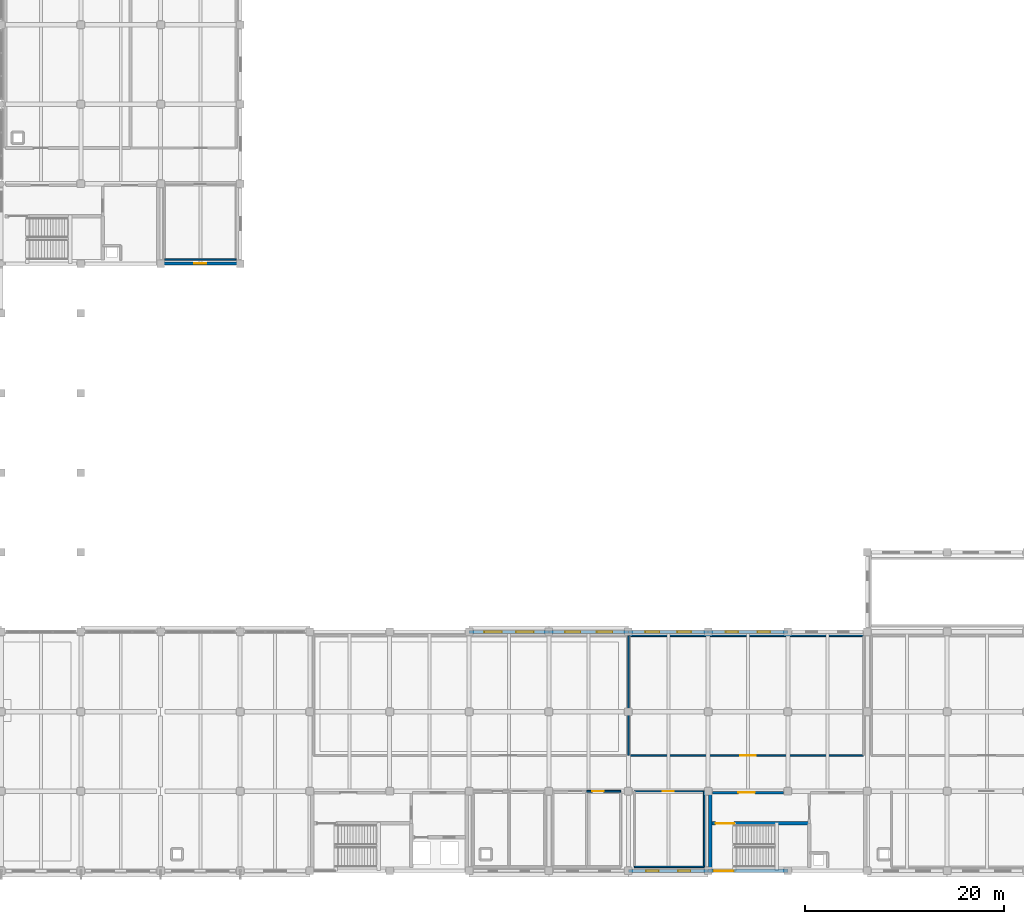
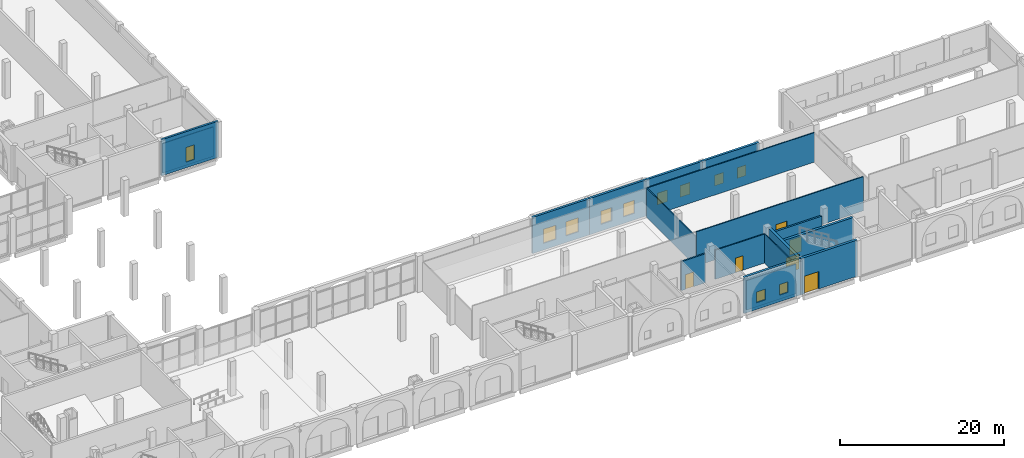
# One storey, part 20 of 40: 18 walls, 11 windows, 6 doors, 17 openings.
"""IFC4 building model written with IfcOpenShell, lengths in metres."""

from ifc_helpers import new_model, si_unit, direction, frame, frame_2d, origin, place, context, subcontext, project, spatial, rectangle, extrude, material, layer, layer_set, type_object, element, fill, save


model = new_model("IFC4")

# Units and contexts
model_context = context("Model", 3, precision=1e-05, world=origin(), true_north=direction((0.0, 1.0)))
body_context = subcontext(model_context, "Body", "Model", "MODEL_VIEW")
ifc_project = project(units=[si_unit("LENGTHUNIT", "METRE"), si_unit("AREAUNIT", "SQUARE_METRE"), si_unit("VOLUMEUNIT", "CUBIC_METRE"), si_unit("PLANEANGLEUNIT", "RADIAN"), si_unit("MASSUNIT", "GRAM", prefix="KILO")], contexts=[model_context])

# Site, building, storey
site_placement = place(None, origin())
site = spatial("IfcSite", under=ifc_project, at=site_placement, CompositionType="ELEMENT")
building_placement = place(site_placement, origin())
building = spatial("IfcBuilding", under=site, at=building_placement, Name="Qorikala Patio Media Centre", CompositionType="ELEMENT")
storey_placement = place(building_placement, origin())
storey = spatial("IfcBuildingStorey", under=building, at=storey_placement, Name="L00", CompositionType="ELEMENT", Elevation=0.0)

# Wall, opening, door
ifc_material_1 = material(Name="Concrete C35/45", Category="concrete")
ifc_layer_1 = layer(ifc_material_1, 0.35009765625)
ifc_layer_set_1 = layer_set([ifc_layer_1], Name="Concrete C35/45")
wall_type_1 = type_object("IfcWallType", Name="WL-CORE-350", PredefinedType="SHEAR", material=ifc_layer_set_1)
wall_1_placement = place(storey_placement, frame((130.0, 3.0, 0.0), z_axis=(0.0, 0.0, 1.0), x_axis=(-1.0, 0.0, 0.0)))
wall_1 = element("IfcWall", 1, at=wall_1_placement, inside=storey, type_object=wall_type_1, Name="L00 Core C7 Exterior Shear Wall", PredefinedType="SHEAR", context=body_context, shape_type="SweptSolid", body=[
    extrude(rectangle(XDim=8.0, YDim=0.35009765625, at=frame_2d((4.0, 0.0))), origin(), (0.0, 0.0, 1.0), 5.39990234375),
])
opening_1_placement = place(wall_1_placement, frame((5.449951171875, 0.0, 0.0)))
opening_1 = element("IfcOpeningElement", 2, at=opening_1_placement, cuts=wall_1, Name="Opening D002", PredefinedType="OPENING", context=body_context, shape_type="SweptSolid", body=[
    extrude(rectangle(XDim=2.0, YDim=2.60009765625, at=frame_2d((1.0, 1.300048828125))), frame((0.0, 0.18505859375, 0.0), z_axis=(0.0, -1.0, 0.0), x_axis=(1.0, 0.0, 0.0)), (0.0, 0.0, 1.0), 0.3701171875),
])
ifc_material_2 = material(Name="Bronze Anodised Steel and Glass", Category="steel")
door_type_1 = type_object("IfcDoorType", Name="DR-EX-200X260", OperationType="DOUBLE_DOOR_SINGLE_SWING", PredefinedType="DOOR", material=ifc_material_2)
door_1_placement = place(opening_1_placement, origin())
door_1 = element("IfcDoor", 3, at=door_1_placement, inside=storey, type_object=door_type_1, Name="Pedestrian Final Exit Door EX-02 (ST-7)", OperationType="DOUBLE_DOOR_SINGLE_SWING", OverallHeight=2.60009765625, OverallWidth=2.0, PredefinedType="DOOR", context=body_context, shape_type="SweptSolid", body=[
    extrude(rectangle(XDim=2.0, YDim=2.60009765625, at=frame_2d((1.0, 1.300048828125))), frame((0.0, 0.02490234375, 0.0), z_axis=(0.0, -1.0, 0.0), x_axis=(1.0, 0.0, 0.0)), (0.0, 0.0, 1.0), 0.050048828125),
])
fill(opening_1, door_1)

# Wall
wall_2_placement = place(storey_placement, frame((122.22509765625, 3.199951171875, 0.0), z_axis=(0.0, 0.0, 1.0), x_axis=(0.0, 1.0, 0.0)))
element("IfcWall", 4, at=wall_2_placement, inside=storey, type_object=wall_type_1, Name="L00 Interior Wall CW-L00-C7-SW", PredefinedType="SHEAR", context=body_context, shape_type="SweptSolid", body=[
    extrude(rectangle(XDim=7.60009765625, YDim=0.35009765625, at=frame_2d((3.800048828125, 0.0))), origin(), (0.0, 0.0, 1.0), 5.10009765625),
])

# Wall, opening, door
wall_3_placement = place(storey_placement, frame((122.35009765625, 7.77490234375, 0.0), z_axis=(0.0, 0.0, 1.0), x_axis=(1.0, 0.0, 0.0)))
wall_3 = element("IfcWall", 5, at=wall_3_placement, inside=storey, type_object=wall_type_1, Name="L00 Interior Wall CW-L00-C7-SN", PredefinedType="SHEAR", context=body_context, shape_type="SweptSolid", body=[
    extrude(rectangle(XDim=9.824951171875, YDim=0.35009765625, at=frame_2d((4.91259765625, 0.0))), origin(), (0.0, 0.0, 1.0), 5.10009765625),
])
opening_2_placement = place(wall_3_placement, frame((0.39990234375, 0.0, 0.0)))
opening_2 = element("IfcOpeningElement", 6, at=opening_2_placement, cuts=wall_3, Name="Opening D200", PredefinedType="OPENING", context=body_context, shape_type="SweptSolid", body=[
    extrude(rectangle(XDim=1.85009765625, YDim=2.25, at=frame_2d((0.925048828125, 1.125))), frame((0.0, 0.18505859375, 0.0), z_axis=(0.0, -1.0, 0.0), x_axis=(1.0, 0.0, 0.0)), (0.0, 0.0, 1.0), 0.3701171875),
])
ifc_material_3 = material(Name="Powder-Coated Acoustic Fire Steel", Category="steel")
door_type_2 = type_object("IfcDoorType", Name="DR-FD60-185X225", OperationType="DOUBLE_DOOR_SINGLE_SWING", PredefinedType="DOOR", material=ifc_material_3)
door_2_placement = place(opening_2_placement, frame((1.85009765625, 0.0, 0.0), z_axis=(0.0, 0.0, 1.0), x_axis=(-1.0, 0.0, 0.0)))
door_2 = element("IfcDoor", 7, at=door_2_placement, inside=storey, type_object=door_type_2, Name="L00 Stair ST-7 Fire Door", OperationType="DOUBLE_DOOR_SINGLE_SWING", OverallHeight=2.25, OverallWidth=1.85009765625, PredefinedType="DOOR", context=body_context, shape_type="SweptSolid", body=[
    extrude(rectangle(XDim=1.85009765625, YDim=2.25, at=frame_2d((0.925048828125, 1.125))), frame((0.0, 0.02490234375, 0.0), z_axis=(0.0, -1.0, 0.0), x_axis=(1.0, 0.0, 0.0)), (0.0, 0.0, 1.0), 0.050048828125),
])
fill(opening_2, door_2)

# Wall, openings, windows
ifc_material_4 = material(Name="Ivory Lime Stucco and Concrete C35/45", Category="concrete")
ifc_layer_2 = layer(ifc_material_4, 0.320068359375)
ifc_layer_set_2 = layer_set([ifc_layer_2], Name="Ivory Lime Stucco and Concrete C35/45")
wall_type_2 = type_object("IfcWallType", Name="WL-EXT-320", PredefinedType="SOLIDWALL", material=ifc_layer_set_2)
wall_4_placement = place(storey_placement, frame((98.0, 27.0, 0.0), z_axis=(0.0, 0.0, 1.0), x_axis=(1.0, 0.0, 0.0)))
wall_4 = element("IfcWall", 8, at=wall_4_placement, inside=storey, type_object=wall_type_2, Name="L00 Exterior Wall WL-L00-EXT-0011", PredefinedType="SOLIDWALL", context=body_context, shape_type="SweptSolid", body=[
    extrude(rectangle(XDim=8.0, YDim=0.320068359375, at=frame_2d((4.0, 0.0))), origin(), (0.0, 0.0, 1.0), 5.39990234375),
])
opening_3_placement = place(wall_4_placement, frame((1.52490234375, 0.0, 1.0)))
opening_3 = element("IfcOpeningElement", 9, at=opening_3_placement, cuts=wall_4, Name="Opening WE-175", PredefinedType="OPENING", context=body_context, shape_type="SweptSolid", body=[
    extrude(rectangle(XDim=1.75, YDim=2.10009765625, at=frame_2d((0.875, 1.050048828125))), frame((0.0, 0.169921875, 0.0), z_axis=(0.0, -1.0, 0.0), x_axis=(1.0, 0.0, 0.0)), (0.0, 0.0, 1.0), 0.340087890625),
])
opening_4_placement = place(wall_4_placement, frame((4.72509765625, 0.0, 1.0)))
opening_4 = element("IfcOpeningElement", 10, at=opening_4_placement, cuts=wall_4, Name="Opening WE-175", PredefinedType="OPENING", context=body_context, shape_type="SweptSolid", body=[
    extrude(rectangle(XDim=1.75, YDim=2.10009765625, at=frame_2d((0.875, 1.050048828125))), frame((0.0, 0.169921875, 0.0), z_axis=(0.0, -1.0, 0.0), x_axis=(1.0, 0.0, 0.0)), (0.0, 0.0, 1.0), 0.340087890625),
])
ifc_material_5 = material(Name="Bronze Anodised Aluminium and Low-E Glass", Category="aluminium")
window_type_1 = type_object("IfcWindowType", Name="WN-ED-175X210", PartitioningType="SINGLE_PANEL", PredefinedType="WINDOW", material=ifc_material_5)
window_1_placement = place(opening_3_placement, origin())
window_1 = element("IfcWindow", 11, at=window_1_placement, inside=storey, type_object=window_type_1, Name="L00 Editing Wing Casement Window 0001", OverallHeight=2.10009765625, OverallWidth=1.75, PartitioningType="SINGLE_PANEL", PredefinedType="WINDOW", context=body_context, shape_type="SweptSolid", body=[
    extrude(rectangle(XDim=1.75, YDim=2.10009765625, at=frame_2d((0.875, 1.050048828125))), frame((0.0, 0.030029296875, 0.0), z_axis=(0.0, -1.0, 0.0), x_axis=(1.0, 0.0, 0.0)), (0.0, 0.0, 1.0), 0.06005859375),
])
fill(opening_3, window_1)
window_2_placement = place(opening_4_placement, origin())
window_2 = element("IfcWindow", 12, at=window_2_placement, inside=storey, type_object=window_type_1, Name="L00 Editing Wing Casement Window 0002", OverallHeight=2.10009765625, OverallWidth=1.75, PartitioningType="SINGLE_PANEL", PredefinedType="WINDOW", context=body_context, shape_type="SweptSolid", body=[
    extrude(rectangle(XDim=1.75, YDim=2.10009765625, at=frame_2d((0.875, 1.050048828125))), frame((0.0, 0.030029296875, 0.0), z_axis=(0.0, -1.0, 0.0), x_axis=(1.0, 0.0, 0.0)), (0.0, 0.0, 1.0), 0.06005859375),
])
fill(opening_4, window_2)

wall_5_placement = place(storey_placement, frame((106.0, 27.0, 0.0), z_axis=(0.0, 0.0, 1.0), x_axis=(1.0, 0.0, 0.0)))
wall_5 = element("IfcWall", 13, at=wall_5_placement, inside=storey, type_object=wall_type_2, Name="L00 Exterior Wall WL-L00-EXT-0012", PredefinedType="SOLIDWALL", context=body_context, shape_type="SweptSolid", body=[
    extrude(rectangle(XDim=8.0, YDim=0.320068359375, at=frame_2d((4.0, 0.0))), origin(), (0.0, 0.0, 1.0), 5.39990234375),
])
opening_5_placement = place(wall_5_placement, frame((1.625, 0.0, 1.0)))
opening_5 = element("IfcOpeningElement", 14, at=opening_5_placement, cuts=wall_5, Name="Opening WE-155", PredefinedType="OPENING", context=body_context, shape_type="SweptSolid", body=[
    extrude(rectangle(XDim=1.550048828125, YDim=1.949951171875, at=frame_2d((0.77490234375, 0.97509765625))), frame((0.0, 0.169921875, 0.0), z_axis=(0.0, -1.0, 0.0), x_axis=(1.0, 0.0, 0.0)), (0.0, 0.0, 1.0), 0.340087890625),
])
opening_6_placement = place(wall_5_placement, frame((4.824951171875, 0.0, 1.0)))
opening_6 = element("IfcOpeningElement", 15, at=opening_6_placement, cuts=wall_5, Name="Opening WE-155", PredefinedType="OPENING", context=body_context, shape_type="SweptSolid", body=[
    extrude(rectangle(XDim=1.550048828125, YDim=1.949951171875, at=frame_2d((0.77490234375, 0.97509765625))), frame((0.0, 0.169921875, 0.0), z_axis=(0.0, -1.0, 0.0), x_axis=(1.0, 0.0, 0.0)), (0.0, 0.0, 1.0), 0.340087890625),
])
window_type_2 = type_object("IfcWindowType", Name="WN-ED-155X195", PartitioningType="SINGLE_PANEL", PredefinedType="WINDOW", material=ifc_material_5)
window_3_placement = place(opening_5_placement, origin())
window_3 = element("IfcWindow", 16, at=window_3_placement, inside=storey, type_object=window_type_2, Name="L00 Editing Wing Casement Window 0003", OverallHeight=1.949951171875, OverallWidth=1.550048828125, PartitioningType="SINGLE_PANEL", PredefinedType="WINDOW", context=body_context, shape_type="SweptSolid", body=[
    extrude(rectangle(XDim=1.550048828125, YDim=1.949951171875, at=frame_2d((0.77490234375, 0.97509765625))), frame((0.0, 0.030029296875, 0.0), z_axis=(0.0, -1.0, 0.0), x_axis=(1.0, 0.0, 0.0)), (0.0, 0.0, 1.0), 0.06005859375),
])
fill(opening_5, window_3)
window_4_placement = place(opening_6_placement, origin())
window_4 = element("IfcWindow", 17, at=window_4_placement, inside=storey, type_object=window_type_2, Name="L00 Editing Wing Casement Window 0004", OverallHeight=1.949951171875, OverallWidth=1.550048828125, PartitioningType="SINGLE_PANEL", PredefinedType="WINDOW", context=body_context, shape_type="SweptSolid", body=[
    extrude(rectangle(XDim=1.550048828125, YDim=1.949951171875, at=frame_2d((0.77490234375, 0.97509765625))), frame((0.0, 0.030029296875, 0.0), z_axis=(0.0, -1.0, 0.0), x_axis=(1.0, 0.0, 0.0)), (0.0, 0.0, 1.0), 0.06005859375),
])
fill(opening_6, window_4)

wall_6_placement = place(storey_placement, frame((114.0, 27.0, 0.0), z_axis=(0.0, 0.0, 1.0), x_axis=(1.0, 0.0, 0.0)))
wall_6 = element("IfcWall", 18, at=wall_6_placement, inside=storey, type_object=wall_type_2, Name="L00 Exterior Wall WL-L00-EXT-0013", PredefinedType="SOLIDWALL", context=body_context, shape_type="SweptSolid", body=[
    extrude(rectangle(XDim=8.0, YDim=0.320068359375, at=frame_2d((4.0, 0.0))), origin(), (0.0, 0.0, 1.0), 5.39990234375),
])
opening_7_placement = place(wall_6_placement, frame((1.699951171875, 0.0, 1.0)))
opening_7 = element("IfcOpeningElement", 19, at=opening_7_placement, cuts=wall_6, Name="Opening WE-140", PredefinedType="OPENING", context=body_context, shape_type="SweptSolid", body=[
    extrude(rectangle(XDim=1.39990234375, YDim=1.75, at=frame_2d((0.699951171875, 0.875))), frame((0.0, 0.169921875, 0.0), z_axis=(0.0, -1.0, 0.0), x_axis=(1.0, 0.0, 0.0)), (0.0, 0.0, 1.0), 0.340087890625),
])
opening_8_placement = place(wall_6_placement, frame((4.89990234375, 0.0, 1.0)))
opening_8 = element("IfcOpeningElement", 20, at=opening_8_placement, cuts=wall_6, Name="Opening WE-140", PredefinedType="OPENING", context=body_context, shape_type="SweptSolid", body=[
    extrude(rectangle(XDim=1.39990234375, YDim=1.75, at=frame_2d((0.699951171875, 0.875))), frame((0.0, 0.169921875, 0.0), z_axis=(0.0, -1.0, 0.0), x_axis=(1.0, 0.0, 0.0)), (0.0, 0.0, 1.0), 0.340087890625),
])
window_type_3 = type_object("IfcWindowType", Name="WN-ED-140X175", PartitioningType="SINGLE_PANEL", PredefinedType="WINDOW", material=ifc_material_5)
window_5_placement = place(opening_7_placement, origin())
window_5 = element("IfcWindow", 21, at=window_5_placement, inside=storey, type_object=window_type_3, Name="L00 Editing Wing Casement Window 0005", OverallHeight=1.75, OverallWidth=1.39990234375, PartitioningType="SINGLE_PANEL", PredefinedType="WINDOW", context=body_context, shape_type="SweptSolid", body=[
    extrude(rectangle(XDim=1.39990234375, YDim=1.75, at=frame_2d((0.699951171875, 0.875))), frame((0.0, 0.030029296875, 0.0), z_axis=(0.0, -1.0, 0.0), x_axis=(1.0, 0.0, 0.0)), (0.0, 0.0, 1.0), 0.06005859375),
])
fill(opening_7, window_5)
window_6_placement = place(opening_8_placement, origin())
window_6 = element("IfcWindow", 22, at=window_6_placement, inside=storey, type_object=window_type_3, Name="L00 Editing Wing Casement Window 0006", OverallHeight=1.75, OverallWidth=1.39990234375, PartitioningType="SINGLE_PANEL", PredefinedType="WINDOW", context=body_context, shape_type="SweptSolid", body=[
    extrude(rectangle(XDim=1.39990234375, YDim=1.75, at=frame_2d((0.699951171875, 0.875))), frame((0.0, 0.030029296875, 0.0), z_axis=(0.0, -1.0, 0.0), x_axis=(1.0, 0.0, 0.0)), (0.0, 0.0, 1.0), 0.06005859375),
])
fill(opening_8, window_6)

wall_7_placement = place(storey_placement, frame((122.0, 27.0, 0.0), z_axis=(0.0, 0.0, 1.0), x_axis=(1.0, 0.0, 0.0)))
wall_7 = element("IfcWall", 23, at=wall_7_placement, inside=storey, type_object=wall_type_2, Name="L00 Exterior Wall WL-L00-EXT-0014", PredefinedType="SOLIDWALL", context=body_context, shape_type="SweptSolid", body=[
    extrude(rectangle(XDim=8.0, YDim=0.320068359375, at=frame_2d((4.0, 0.0))), origin(), (0.0, 0.0, 1.0), 5.39990234375),
])
opening_9_placement = place(wall_7_placement, frame((1.77490234375, 0.0, 1.0)))
opening_9 = element("IfcOpeningElement", 24, at=opening_9_placement, cuts=wall_7, Name="Opening WE-125", PredefinedType="OPENING", context=body_context, shape_type="SweptSolid", body=[
    extrude(rectangle(XDim=1.25, YDim=1.60009765625, at=frame_2d((0.625, 0.800048828125))), frame((0.0, 0.169921875, 0.0), z_axis=(0.0, -1.0, 0.0), x_axis=(1.0, 0.0, 0.0)), (0.0, 0.0, 1.0), 0.340087890625),
])
opening_10_placement = place(wall_7_placement, frame((4.97509765625, 0.0, 1.0)))
opening_10 = element("IfcOpeningElement", 25, at=opening_10_placement, cuts=wall_7, Name="Opening WE-125", PredefinedType="OPENING", context=body_context, shape_type="SweptSolid", body=[
    extrude(rectangle(XDim=1.25, YDim=1.60009765625, at=frame_2d((0.625, 0.800048828125))), frame((0.0, 0.169921875, 0.0), z_axis=(0.0, -1.0, 0.0), x_axis=(1.0, 0.0, 0.0)), (0.0, 0.0, 1.0), 0.340087890625),
])
window_type_4 = type_object("IfcWindowType", Name="WN-ED-125X160", PartitioningType="SINGLE_PANEL", PredefinedType="WINDOW", material=ifc_material_5)
window_7_placement = place(opening_9_placement, origin())
window_7 = element("IfcWindow", 26, at=window_7_placement, inside=storey, type_object=window_type_4, Name="L00 Editing Wing Casement Window 0007", OverallHeight=1.60009765625, OverallWidth=1.25, PartitioningType="SINGLE_PANEL", PredefinedType="WINDOW", context=body_context, shape_type="SweptSolid", body=[
    extrude(rectangle(XDim=1.25, YDim=1.60009765625, at=frame_2d((0.625, 0.800048828125))), frame((0.0, 0.030029296875, 0.0), z_axis=(0.0, -1.0, 0.0), x_axis=(1.0, 0.0, 0.0)), (0.0, 0.0, 1.0), 0.06005859375),
])
fill(opening_9, window_7)
window_8_placement = place(opening_10_placement, origin())
window_8 = element("IfcWindow", 27, at=window_8_placement, inside=storey, type_object=window_type_4, Name="L00 Editing Wing Casement Window 0008", OverallHeight=1.60009765625, OverallWidth=1.25, PartitioningType="SINGLE_PANEL", PredefinedType="WINDOW", context=body_context, shape_type="SweptSolid", body=[
    extrude(rectangle(XDim=1.25, YDim=1.60009765625, at=frame_2d((0.625, 0.800048828125))), frame((0.0, 0.030029296875, 0.0), z_axis=(0.0, -1.0, 0.0), x_axis=(1.0, 0.0, 0.0)), (0.0, 0.0, 1.0), 0.06005859375),
])
fill(opening_10, window_8)

wall_8_placement = place(storey_placement, frame((122.0, 3.0, 0.0), z_axis=(0.0, 0.0, 1.0), x_axis=(-1.0, 0.0, 0.0)))
wall_8 = element("IfcWall", 28, at=wall_8_placement, inside=storey, type_object=wall_type_2, Name="L00 Exterior Wall WL-L00-EXT-0031", PredefinedType="SOLIDWALL", context=body_context, shape_type="SweptSolid", body=[
    extrude(rectangle(XDim=8.0, YDim=0.320068359375, at=frame_2d((4.0, 0.0))), origin(), (0.0, 0.0, 1.0), 5.39990234375),
])
opening_11_placement = place(wall_8_placement, frame((1.77490234375, 0.0, 1.0)))
opening_11 = element("IfcOpeningElement", 29, at=opening_11_placement, cuts=wall_8, Name="Opening WE-125", PredefinedType="OPENING", context=body_context, shape_type="SweptSolid", body=[
    extrude(rectangle(XDim=1.25, YDim=1.60009765625, at=frame_2d((0.625, 0.800048828125))), frame((0.0, 0.169921875, 0.0), z_axis=(0.0, -1.0, 0.0), x_axis=(1.0, 0.0, 0.0)), (0.0, 0.0, 1.0), 0.340087890625),
])
opening_12_placement = place(wall_8_placement, frame((4.97509765625, 0.0, 1.0)))
opening_12 = element("IfcOpeningElement", 30, at=opening_12_placement, cuts=wall_8, Name="Opening WE-125", PredefinedType="OPENING", context=body_context, shape_type="SweptSolid", body=[
    extrude(rectangle(XDim=1.25, YDim=1.60009765625, at=frame_2d((0.625, 0.800048828125))), frame((0.0, 0.169921875, 0.0), z_axis=(0.0, -1.0, 0.0), x_axis=(1.0, 0.0, 0.0)), (0.0, 0.0, 1.0), 0.340087890625),
])
window_9_placement = place(opening_11_placement, origin())
window_9 = element("IfcWindow", 31, at=window_9_placement, inside=storey, type_object=window_type_4, Name="L00 Editing Wing Casement Window 0029", OverallHeight=1.60009765625, OverallWidth=1.25, PartitioningType="SINGLE_PANEL", PredefinedType="WINDOW", context=body_context, shape_type="SweptSolid", body=[
    extrude(rectangle(XDim=1.25, YDim=1.60009765625, at=frame_2d((0.625, 0.800048828125))), frame((0.0, 0.030029296875, 0.0), z_axis=(0.0, -1.0, 0.0), x_axis=(1.0, 0.0, 0.0)), (0.0, 0.0, 1.0), 0.06005859375),
])
fill(opening_11, window_9)
window_10_placement = place(opening_12_placement, origin())
window_10 = element("IfcWindow", 32, at=window_10_placement, inside=storey, type_object=window_type_4, Name="L00 Editing Wing Casement Window 0030", OverallHeight=1.60009765625, OverallWidth=1.25, PartitioningType="SINGLE_PANEL", PredefinedType="WINDOW", context=body_context, shape_type="SweptSolid", body=[
    extrude(rectangle(XDim=1.25, YDim=1.60009765625, at=frame_2d((0.625, 0.800048828125))), frame((0.0, 0.030029296875, 0.0), z_axis=(0.0, -1.0, 0.0), x_axis=(1.0, 0.0, 0.0)), (0.0, 0.0, 1.0), 0.06005859375),
])
fill(opening_12, window_10)

# Wall, opening, door
ifc_layer_3 = layer(ifc_material_1, 0.25)
ifc_layer_set_3 = layer_set([ifc_layer_3], Name="Concrete C35/45")
wall_type_3 = type_object("IfcWallType", Name="WL-FFL-250", PredefinedType="PARTITIONING", material=ifc_layer_set_3)
wall_9_placement = place(storey_placement, frame((122.449951171875, 10.85009765625, 0.0), z_axis=(0.0, 0.0, 1.0), x_axis=(1.0, 0.0, 0.0)))
wall_9 = element("IfcWall", 33, at=wall_9_placement, inside=storey, type_object=wall_type_3, Name="L00 Interior Wall CW-L00-C7-CN1", PredefinedType="PARTITIONING", context=body_context, shape_type="SweptSolid", body=[
    extrude(rectangle(XDim=7.10009765625, YDim=0.25, at=frame_2d((3.550048828125, 0.0))), origin(), (0.0, 0.0, 1.0), 4.3349609375),
])
opening_13_placement = place(wall_9_placement, frame((2.60009765625, 0.0, 0.0)))
opening_13 = element("IfcOpeningElement", 34, at=opening_13_placement, cuts=wall_9, Name="Opening D202", PredefinedType="OPENING", context=body_context, shape_type="SweptSolid", body=[
    extrude(rectangle(XDim=1.64990234375, YDim=2.25, at=frame_2d((0.824951171875, 1.125))), frame((0.0, 0.135009765625, 0.0), z_axis=(0.0, -1.0, 0.0), x_axis=(1.0, 0.0, 0.0)), (0.0, 0.0, 1.0), 0.27001953125),
])
door_type_3 = type_object("IfcDoorType", Name="DR-FD60-165X225", OperationType="DOUBLE_DOOR_SINGLE_SWING", PredefinedType="DOOR", material=ifc_material_3)
door_3_placement = place(opening_13_placement, frame((1.64990234375, 0.0, 0.0), z_axis=(0.0, 0.0, 1.0), x_axis=(-1.0, 0.0, 0.0)))
door_3 = element("IfcDoor", 35, at=door_3_placement, inside=storey, type_object=door_type_3, Name="L00 Core C7 Vestibule Door", OperationType="DOUBLE_DOOR_SINGLE_SWING", OverallHeight=2.25, OverallWidth=1.64990234375, PredefinedType="DOOR", context=body_context, shape_type="SweptSolid", body=[
    extrude(rectangle(XDim=1.64990234375, YDim=2.25, at=frame_2d((0.824951171875, 1.125))), frame((0.0, 0.02490234375, 0.0), z_axis=(0.0, -1.0, 0.0), x_axis=(1.0, 0.0, 0.0)), (0.0, 0.0, 1.0), 0.050048828125),
])
fill(opening_13, door_3)

# Wall, opening, window
ifc_material_6 = material(Name="Warm Ochre Lime Stucco and Concrete C35/45", Category="concrete")
ifc_layer_4 = layer(ifc_material_6, 0.280029296875)
ifc_layer_set_4 = layer_set([ifc_layer_4], Name="Warm Ochre Lime Stucco and Concrete C35/45")
wall_type_4 = type_object("IfcWallType", Name="WL-OCHRE-280", PredefinedType="SOLIDWALL", material=ifc_layer_set_4)
wall_10_placement = place(storey_placement, frame((75.0, 64.0, 0.0), z_axis=(0.0, 0.0, 1.0), x_axis=(-1.0, 0.0, 0.0)))
wall_10 = element("IfcWall", 36, at=wall_10_placement, inside=storey, type_object=wall_type_4, Name="L00 Exterior Wall WL-L00-EXT-0084", PredefinedType="SOLIDWALL", context=body_context, shape_type="SweptSolid", body=[
    extrude(rectangle(XDim=8.0, YDim=0.280029296875, at=frame_2d((4.0, 0.0))), origin(), (0.0, 0.0, 1.0), 5.39990234375),
])
opening_14_placement = place(wall_10_placement, frame((3.39990234375, 0.0, 0.85009765625)))
opening_14 = element("IfcOpeningElement", 37, at=opening_14_placement, cuts=wall_10, Name="Opening WC-120", PredefinedType="OPENING", context=body_context, shape_type="SweptSolid", body=[
    extrude(rectangle(XDim=1.199951171875, YDim=2.199951171875, at=frame_2d((0.60009765625, 1.10009765625))), frame((0.0, 0.14990234375, 0.0), z_axis=(0.0, -1.0, 0.0), x_axis=(1.0, 0.0, 0.0)), (0.0, 0.0, 1.0), 0.300048828125),
])
window_type_5 = type_object("IfcWindowType", Name="WN-COL-120X220", PartitioningType="SINGLE_PANEL", PredefinedType="WINDOW", material=ifc_material_5)
window_11_placement = place(opening_14_placement, origin())
window_11 = element("IfcWindow", 38, at=window_11_placement, inside=storey, type_object=window_type_5, Name="L00 Colonial Tall Window 0059", OverallHeight=2.199951171875, OverallWidth=1.199951171875, PartitioningType="SINGLE_PANEL", PredefinedType="WINDOW", context=body_context, shape_type="SweptSolid", body=[
    extrude(rectangle(XDim=1.199951171875, YDim=2.199951171875, at=frame_2d((0.60009765625, 1.10009765625))), frame((0.0, 0.030029296875, 0.0), z_axis=(0.0, -1.0, 0.0), x_axis=(1.0, 0.0, 0.0)), (0.0, 0.0, 1.0), 0.06005859375),
])
fill(opening_14, window_11)

# Walls
ifc_material_7 = material(Name="Acoustic Gypsum Stud Partition")
ifc_layer_5 = layer(ifc_material_7, 0.14990234375)
ifc_layer_set_5 = layer_set([ifc_layer_5], Name="Acoustic Gypsum Stud Partition")
wall_type_5 = type_object("IfcWallType", Name="WL-PT-150", PredefinedType="PARTITIONING", material=ifc_layer_set_5)
wall_11_placement = place(storey_placement, frame((114.60009765625, 3.39990234375, 0.0), z_axis=(0.0, 0.0, 1.0), x_axis=(1.0, 0.0, 0.0)))
element("IfcWall", 39, at=wall_11_placement, inside=storey, type_object=wall_type_5, Name="L00 Interior Wall WINT-L00-SHOP-S", PredefinedType="PARTITIONING", context=body_context, shape_type="SweptSolid", body=[
    extrude(rectangle(XDim=7.0, YDim=0.14990234375, at=frame_2d((3.5, 0.0))), origin(), (0.0, 0.0, 1.0), 4.405029296875),
])
wall_12_placement = place(storey_placement, frame((121.60009765625, 3.39990234375, 0.0), z_axis=(0.0, 0.0, 1.0), x_axis=(0.0, 1.0, 0.0)))
element("IfcWall", 40, at=wall_12_placement, inside=storey, type_object=wall_type_5, Name="L00 Interior Wall WINT-L00-SHOP-E", PredefinedType="PARTITIONING", context=body_context, shape_type="SweptSolid", body=[
    extrude(rectangle(XDim=7.60009765625, YDim=0.14990234375, at=frame_2d((3.800048828125, 0.0))), origin(), (0.0, 0.0, 1.0), 4.385009765625),
])

# Wall, opening, door
wall_13_placement = place(storey_placement, frame((114.60009765625, 11.0, 0.0), z_axis=(0.0, 0.0, 1.0), x_axis=(1.0, 0.0, 0.0)))
wall_13 = element("IfcWall", 41, at=wall_13_placement, inside=storey, type_object=wall_type_5, Name="L00 Interior Wall WINT-L00-SHOP-N", PredefinedType="PARTITIONING", context=body_context, shape_type="SweptSolid", body=[
    extrude(rectangle(XDim=7.0, YDim=0.14990234375, at=frame_2d((3.5, 0.0))), origin(), (0.0, 0.0, 1.0), 4.3349609375),
])
opening_15_placement = place(wall_13_placement, frame((2.847900390625, 0.0, 0.0)))
opening_15 = element("IfcOpeningElement", 42, at=opening_15_placement, cuts=wall_13, Name="Opening D236", PredefinedType="OPENING", context=body_context, shape_type="SweptSolid", body=[
    extrude(rectangle(XDim=1.10009765625, YDim=2.159912109375, at=frame_2d((0.550048828125, 1.080078125))), frame((0.0, 0.0849609375, 0.0), z_axis=(0.0, -1.0, 0.0), x_axis=(1.0, 0.0, 0.0)), (0.0, 0.0, 1.0), 0.169921875),
])
ifc_material_8 = material(Name="Solid Oak Timber", Category="wood")
door_type_4 = type_object("IfcDoorType", Name="DR-IN-110X216", OperationType="NOTDEFINED", PredefinedType="DOOR", material=ifc_material_8)
door_4_placement = place(opening_15_placement, origin())
door_4 = element("IfcDoor", 43, at=door_4_placement, inside=storey, type_object=door_type_4, Name="Media Bookshop and Poster Gallery Door 025", OperationType="SINGLE_SWING_LEFT", OverallHeight=2.159912109375, OverallWidth=1.10009765625, PredefinedType="DOOR", context=body_context, shape_type="SweptSolid", body=[
    extrude(rectangle(XDim=1.10009765625, YDim=2.159912109375, at=frame_2d((0.550048828125, 1.080078125))), frame((0.0, 0.02490234375, 0.0), z_axis=(0.0, -1.0, 0.0), x_axis=(1.0, 0.0, 0.0)), (0.0, 0.0, 1.0), 0.050048828125),
])
fill(opening_15, door_4)

# Wall
wall_14_placement = place(storey_placement, frame((114.0, 14.60009765625, 0.0), z_axis=(0.0, 0.0, 1.0), x_axis=(0.0, 1.0, 0.0)))
element("IfcWall", 44, at=wall_14_placement, inside=storey, type_object=wall_type_5, Name="L00 Interior Wall WINT-L00-CAFE-E", PredefinedType="PARTITIONING", context=body_context, shape_type="SweptSolid", body=[
    extrude(rectangle(XDim=12.0, YDim=0.14990234375, at=frame_2d((6.0, 0.0))), origin(), (0.0, 0.0, 1.0), 4.385009765625),
])

# Wall, opening, door
wall_15_placement = place(storey_placement, frame((114.0, 14.60009765625, 0.0), z_axis=(0.0, 0.0, 1.0), x_axis=(1.0, 0.0, 0.0)))
wall_15 = element("IfcWall", 45, at=wall_15_placement, inside=storey, type_object=wall_type_5, Name="L00 Interior Wall WINT-L00-ING1-S", PredefinedType="PARTITIONING", context=body_context, shape_type="SweptSolid", body=[
    extrude(rectangle(XDim=23.60009765625, YDim=0.14990234375, at=frame_2d((11.800048828125, 0.0))), origin(), (0.0, 0.0, 1.0), 5.10009765625),
])
opening_16_placement = place(wall_15_placement, frame((11.22607421875, 0.0, 0.0)))
opening_16 = element("IfcOpeningElement", 46, at=opening_16_placement, cuts=wall_15, Name="Opening D238", PredefinedType="OPENING", context=body_context, shape_type="SweptSolid", body=[
    extrude(rectangle(XDim=1.550048828125, YDim=2.25, at=frame_2d((0.77490234375, 1.125))), frame((0.0, 0.0849609375, 0.0), z_axis=(0.0, -1.0, 0.0), x_axis=(1.0, 0.0, 0.0)), (0.0, 0.0, 1.0), 0.169921875),
])
ifc_material_9 = material(Name="Solid Andean Cedar Timber", Category="wood")
door_type_5 = type_object("IfcDoorType", Name="DR-IN-155X225", OperationType="DOUBLE_DOOR_SINGLE_SWING", PredefinedType="DOOR", material=ifc_material_9)
door_5_placement = place(opening_16_placement, origin())
door_5 = element("IfcDoor", 47, at=door_5_placement, inside=storey, type_object=door_type_5, Name="Digital Media Ingest and Restoration Suite Door 027", OperationType="DOUBLE_DOOR_SINGLE_SWING", OverallHeight=2.25, OverallWidth=1.550048828125, PredefinedType="DOOR", context=body_context, shape_type="SweptSolid", body=[
    extrude(rectangle(XDim=1.550048828125, YDim=2.25, at=frame_2d((0.77490234375, 1.125))), frame((0.0, 0.02490234375, 0.0), z_axis=(0.0, -1.0, 0.0), x_axis=(1.0, 0.0, 0.0)), (0.0, 0.0, 1.0), 0.050048828125),
])
fill(opening_16, door_5)

# Walls
wall_16_placement = place(storey_placement, frame((114.0, 26.60009765625, 0.0), z_axis=(0.0, 0.0, 1.0), x_axis=(1.0, 0.0, 0.0)))
element("IfcWall", 48, at=wall_16_placement, inside=storey, type_object=wall_type_5, Name="L00 Interior Wall WINT-L00-ING1-N", PredefinedType="PARTITIONING", context=body_context, shape_type="SweptSolid", body=[
    extrude(rectangle(XDim=23.60009765625, YDim=0.14990234375, at=frame_2d((11.800048828125, 0.0))), origin(), (0.0, 0.0, 1.0), 4.405029296875),
])
wall_17_placement = place(storey_placement, frame((67.39990234375, 64.39990234375, 0.0), z_axis=(0.0, 0.0, 1.0), x_axis=(1.0, 0.0, 0.0)))
element("IfcWall", 49, at=wall_17_placement, inside=storey, type_object=wall_type_5, Name="L00 Interior Wall WINT-L00-GRN1-S", PredefinedType="PARTITIONING", context=body_context, shape_type="SweptSolid", body=[
    extrude(rectangle(XDim=7.2001953125, YDim=0.14990234375, at=frame_2d((3.60009765625, 0.0))), origin(), (0.0, 0.0, 1.0), 4.405029296875),
])

# Wall, opening, door
ifc_material_10 = material(Name="Acoustic Masonry and Plaster Concrete C30/37", Category="masonry")
ifc_layer_6 = layer(ifc_material_10, 0.199951171875)
ifc_layer_set_6 = layer_set([ifc_layer_6], Name="Acoustic Masonry and Plaster Concrete C30/37")
wall_type_6 = type_object("IfcWallType", Name="WL-ST-200", PredefinedType="PARTITIONING", material=ifc_layer_set_6)
wall_18_placement = place(storey_placement, frame((109.800048828125, 11.0, 0.0), z_axis=(0.0, 0.0, 1.0), x_axis=(1.0, 0.0, 0.0)))
wall_18 = element("IfcWall", 50, at=wall_18_placement, inside=storey, type_object=wall_type_6, Name="L00 Interior Wall WINT-L00-L0WSTR-N", PredefinedType="PARTITIONING", context=body_context, shape_type="SweptSolid", body=[
    extrude(rectangle(XDim=3.39990234375, YDim=0.199951171875, at=frame_2d((1.699951171875, 0.0))), origin(), (0.0, 0.0, 1.0), 4.3349609375),
])
opening_17_placement = place(wall_18_placement, frame((0.574951171875, 0.0, 0.0)))
opening_17 = element("IfcOpeningElement", 51, at=opening_17_placement, cuts=wall_18, Name="Opening D235", PredefinedType="OPENING", context=body_context, shape_type="SweptSolid", body=[
    extrude(rectangle(XDim=1.14990234375, YDim=2.179931640625, at=frame_2d((0.574951171875, 1.08984375))), frame((0.0, 0.10986328125, 0.0), z_axis=(0.0, -1.0, 0.0), x_axis=(1.0, 0.0, 0.0)), (0.0, 0.0, 1.0), 0.219970703125),
])
ifc_material_11 = material(Name="Acoustic Fire Timber and Steel", Category="steel")
door_type_6 = type_object("IfcDoorType", Name="DR-FD60-115X218", OperationType="NOTDEFINED", PredefinedType="DOOR", material=ifc_material_11)
door_6_placement = place(opening_17_placement, origin())
door_6 = element("IfcDoor", 52, at=door_6_placement, inside=storey, type_object=door_type_6, Name="Technical Equipment Store Door 024", OperationType="SINGLE_SWING_RIGHT", OverallHeight=2.179931640625, OverallWidth=1.14990234375, PredefinedType="DOOR", context=body_context, shape_type="SweptSolid", body=[
    extrude(rectangle(XDim=1.14990234375, YDim=2.179931640625, at=frame_2d((0.574951171875, 1.08984375))), frame((0.0, 0.02490234375, 0.0), z_axis=(0.0, -1.0, 0.0), x_axis=(1.0, 0.0, 0.0)), (0.0, 0.0, 1.0), 0.050048828125),
])
fill(opening_17, door_6)

save(model, "model.ifc")
